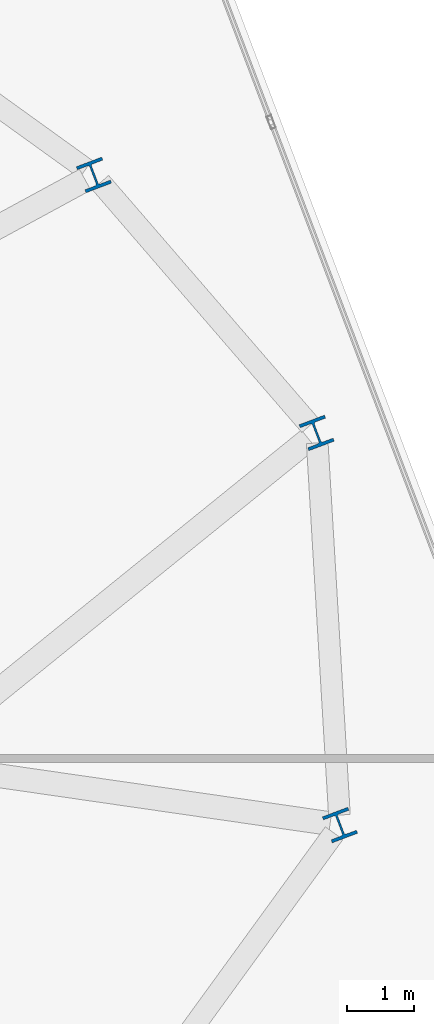
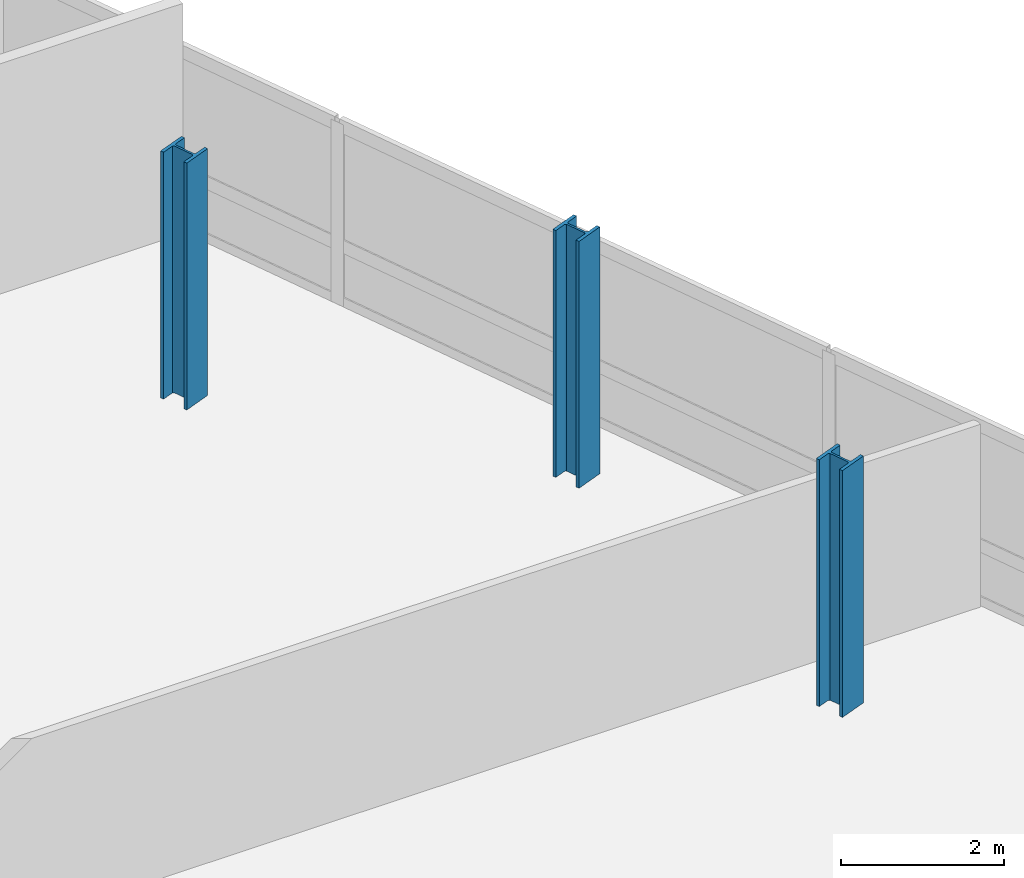
# One storey, part 2 of 19: 3 columns.
"""IFC4 building model written with IfcOpenShell, lengths in metres."""

from ifc_helpers import new_model, si_unit, direction, frame, origin, origin_2d, place, context, subcontext, project, spatial, i_section, extrude, material, material_profile, profile_set, type_object, element, save


model = new_model("IFC4")

# Units and contexts
model_context = context("Model", 3, precision=1e-05, world=origin(), true_north=direction((0.0, 1.0)))
body_context = subcontext(model_context, "Body", "Model", "MODEL_VIEW")
ifc_project = project(units=[si_unit("LENGTHUNIT", "METRE"), si_unit("AREAUNIT", "SQUARE_METRE"), si_unit("VOLUMEUNIT", "CUBIC_METRE"), si_unit("PLANEANGLEUNIT", "RADIAN"), si_unit("MASSUNIT", "GRAM", prefix="KILO")], contexts=[model_context])

# Site, building, storey
site_placement = place(None, origin())
site = spatial("IfcSite", under=ifc_project, at=site_placement, CompositionType="ELEMENT")
building_placement = place(site_placement, origin())
building = spatial("IfcBuilding", under=site, at=building_placement, Name="Varnelok Gate Tower", CompositionType="ELEMENT")
storey_placement = place(building_placement, frame((0.0, 0.0, 246.0)))
storey = spatial("IfcBuildingStorey", under=building, at=storey_placement, Name="L63", CompositionType="ELEMENT", Elevation=246.0)

# Columns
ifc_material = material(Name="Structural Steel ASTM A992 Grade 50", Category="steel")
ifc_material_profile = material_profile(ifc_material, i_section(OverallWidth=0.406005859375, OverallDepth=0.416015625, WebThickness=0.02978515625, FlangeThickness=0.048095703125, FilletRadius=0.02490234375, at=origin_2d()), Name="W14X257")
ifc_profile_set = profile_set([ifc_material_profile], Name="Structural Steel ASTM A992 Grade 50")
column_type = type_object("IfcColumnType", Name="COL-W14X257", PredefinedType="COLUMN", material=ifc_profile_set)
for number, where, z_axis, x_axis, name in (
    (1, (71.05517578125, 26.453369140625, 0.0), (0.0, 0.0, 1.0), (0.935221751401, 0.354062530786, 0.0), "L63 B5 Perimeter Column PC06"),
    (2, (70.70556640625, 32.319580078125, 0.0), (0.0, 0.0, 1.0), (0.935221751401, 0.354062530786, 0.0), "L63 B5 Perimeter Column PC07"),
    (3, (67.372802734375, 36.1796875, 0.0), (0.0, 0.0, 1.0), (0.935221751401, 0.354062530786, 0.0), "L63 B5 Perimeter Column PC08"),
):
    element("IfcColumn", number, at=place(storey_placement, frame(where, z_axis=z_axis, x_axis=x_axis)), inside=storey, type_object=column_type, Name=name, PredefinedType="COLUMN", context=body_context, shape_type="SweptSolid", body=[
        extrude(i_section(OverallWidth=0.406005859375, OverallDepth=0.416015625, WebThickness=0.02978515625, FlangeThickness=0.048095703125, FilletRadius=0.02490234375, at=origin_2d()), origin(), (0.0, 0.0, 1.0), 3.699951171875),
    ])

save(model, "model.ifc")
